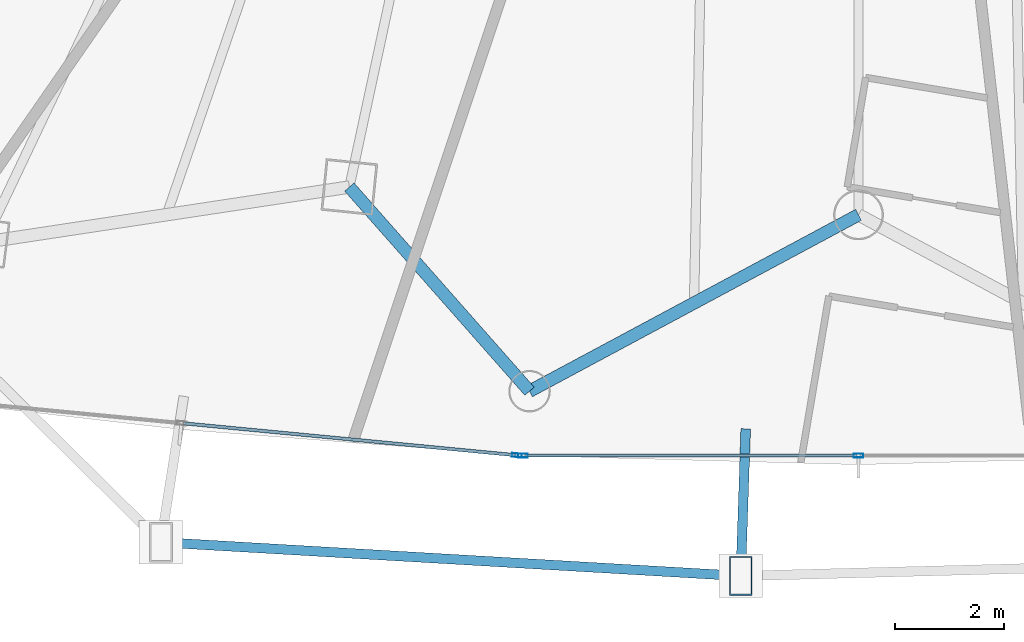
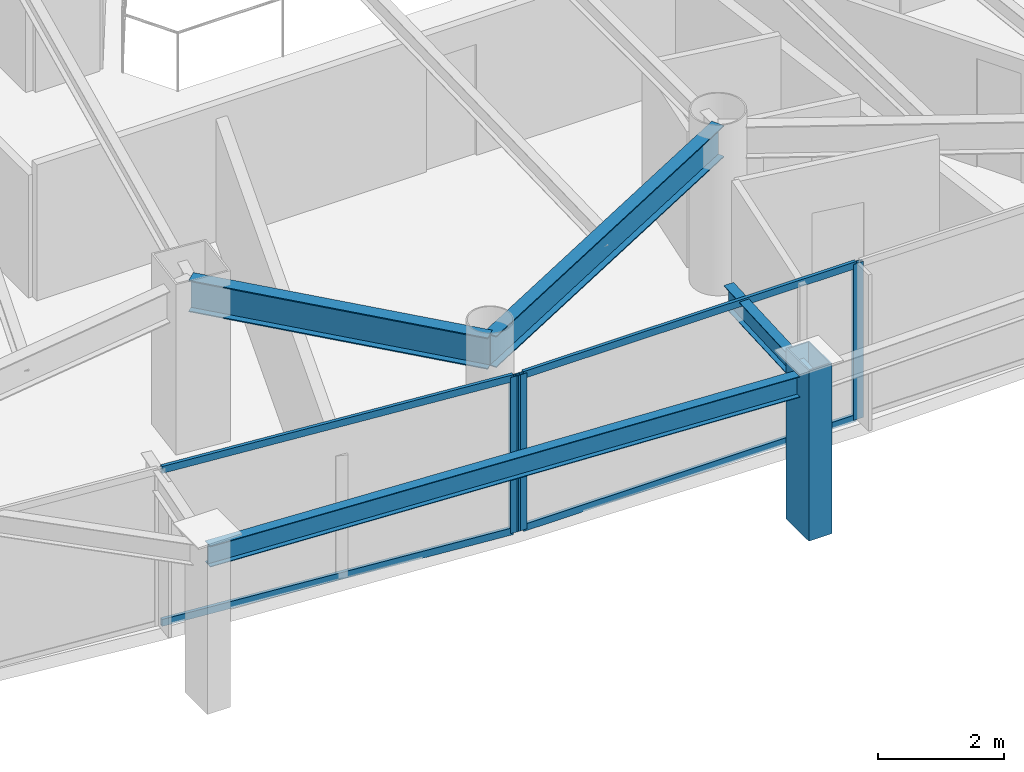
# One storey, part 6 of 33: 8 members, 4 beams, 2 elements without a shape of their own.
"""IFC4 building model written with IfcOpenShell, lengths in metres."""

from ifc_helpers import new_model, si_unit, direction, frame, origin, origin_2d, place, context, subcontext, project, spatial, hollow_rectangle, i_section, extrude, material, layer, layer_set, material_profile, profile_set, type_object, element, aggregate, save


model = new_model("IFC4")

# Units and contexts
model_context = context("Model", 3, precision=1e-05, world=origin(), true_north=direction((0.0, 1.0)))
body_context = subcontext(model_context, "Body", "Model", "MODEL_VIEW")
ifc_project = project(units=[si_unit("LENGTHUNIT", "METRE"), si_unit("AREAUNIT", "SQUARE_METRE"), si_unit("VOLUMEUNIT", "CUBIC_METRE"), si_unit("PLANEANGLEUNIT", "RADIAN"), si_unit("MASSUNIT", "GRAM", prefix="KILO")], contexts=[model_context])

# Site, building, storey
site_placement = place(None, origin())
site = spatial("IfcSite", under=ifc_project, at=site_placement, CompositionType="ELEMENT")
building_placement = place(site_placement, origin())
building = spatial("IfcBuilding", under=site, at=building_placement, Name="Orvanel Arch Residences", CompositionType="ELEMENT")
storey_placement = place(building_placement, frame((0.0, 0.0, 93.949951171875)))
storey = spatial("IfcBuildingStorey", under=building, at=storey_placement, Name="L26", CompositionType="ELEMENT", Elevation=93.949951171875)

# Member
ifc_material_1 = material(Name="Structural steel AS/NZS 3678 Grade 350", Category="steel")
ifc_material_profile_1 = material_profile(ifc_material_1, hollow_rectangle(XDim=0.419921875, YDim=0.719970703125, WallThickness=0.02490234375, at=origin_2d()), Name="RHS720x420x25")
ifc_profile_set_1 = profile_set([ifc_material_profile_1], Name="Structural steel AS/NZS 3678 Grade 350")
member_type_1 = type_object("IfcMemberType", Name="CH-720RHS-EXT", PredefinedType="CHORD", material=ifc_profile_set_1)
member_1_placement = place(storey_placement, frame((30.8369140625, 0.2119140625, 0.0), z_axis=(0.0, 0.0, 1.0), x_axis=(1.0, 0.0, 0.0)))
element("IfcMember", 1, at=member_1_placement, inside=storey, type_object=member_type_1, Name="L26 Outer Perimeter Frame Post 06", PredefinedType="CHORD", context=body_context, shape_type="SweptSolid", body=[
    extrude(hollow_rectangle(XDim=0.419921875, YDim=0.719970703125, WallThickness=0.02490234375, at=origin_2d()), origin(), (0.0, 0.0, 1.0), 3.300048828125),
])

# Curtain wall, member
ifc_material_2 = material(Name="Bronze-anodised aluminium AA6063-T6", Category="aluminium")
ifc_layer = layer(ifc_material_2, 0.179931640625)
ifc_layer_set = layer_set([ifc_layer], Name="Bronze-anodised aluminium AA6063-T6")
curtain_wall_type = type_object("IfcCurtainWallType", Name="CW2-LOW-SYS", PredefinedType="NOTDEFINED", material=ifc_layer_set)
curtain_wall_1_placement = place(storey_placement, origin())
curtain_wall_1 = element("IfcCurtainWall", 2, at=curtain_wall_1_placement, inside=storey, type_object=curtain_wall_type, Name="L26 CW2-LOW-SYS Unitised Curtain Wall", PredefinedType="NOTDEFINED")
ifc_material_profile_2 = material_profile(ifc_material_2, hollow_rectangle(XDim=0.070068359375, YDim=0.179931640625, WallThickness=0.00439453125, at=origin_2d()), Name="ALU180x70x4.5")
ifc_profile_set_2 = profile_set([ifc_material_profile_2], Name="Bronze-anodised aluminium AA6063-T6")
member_type_2 = type_object("IfcMemberType", Name="MUL-180x70", PredefinedType="MULLION", material=ifc_profile_set_2)
member_2_placement = place(storey_placement, frame((26.728271484375, 2.42724609375, 0.0), z_axis=(0.0, 0.0, 1.0), x_axis=(0.095487456477, 0.995430633272, 0.0)))
member_2 = element("IfcMember", 3, at=member_2_placement, type_object=member_type_2, Name="CW-S2 mullion 3", PredefinedType="MULLION", context=body_context, shape_type="SweptSolid", body=[
    extrude(hollow_rectangle(XDim=0.070068359375, YDim=0.179931640625, WallThickness=0.00439453125, at=origin_2d()), origin(), (0.0, 0.0, 1.0), 3.02001953125),
])

# Curtain wall, members
curtain_wall_2_placement = place(storey_placement, origin())
curtain_wall_2 = element("IfcCurtainWall", 4, at=curtain_wall_2_placement, inside=storey, type_object=curtain_wall_type, Name="L26 CW2-LOW-SYS Unitised Curtain Wall", PredefinedType="NOTDEFINED")
member_3_placement = place(storey_placement, frame((26.837890625, 2.422119140625, 0.0), z_axis=(0.0, 0.0, 1.0), x_axis=(0.0, 1.0, 0.0)))
member_3 = element("IfcMember", 5, at=member_3_placement, type_object=member_type_2, Name="CW-S2 mullion 1", PredefinedType="MULLION", context=body_context, shape_type="SweptSolid", body=[
    extrude(hollow_rectangle(XDim=0.070068359375, YDim=0.179931640625, WallThickness=0.00439453125, at=origin_2d()), origin(), (0.0, 0.0, 1.0), 3.02001953125),
])
member_4_placement = place(storey_placement, frame((33.0, 2.422119140625, 0.0), z_axis=(0.0, 0.0, 1.0), x_axis=(0.0, 1.0, 0.0)))
member_4 = element("IfcMember", 6, at=member_4_placement, type_object=member_type_2, Name="CW-S2 mullion 2", PredefinedType="MULLION", context=body_context, shape_type="SweptSolid", body=[
    extrude(hollow_rectangle(XDim=0.070068359375, YDim=0.179931640625, WallThickness=0.00439453125, at=origin_2d()), origin(), (0.0, 0.0, 1.0), 3.02001953125),
])

# Beams
ifc_material_3 = material(Name="Structural steel AS/NZS 3679.1 Grade 300 (300 MPa)", Category="steel")
ifc_material_profile_3 = material_profile(ifc_material_3, i_section(OverallWidth=0.177978515625, OverallDepth=0.406005859375, WebThickness=0.0078125, FlangeThickness=0.0126953125, at=origin_2d()), Name="410UB59.7")
ifc_profile_set_3 = profile_set([ifc_material_profile_3], Name="Structural steel AS/NZS 3679.1 Grade 300 (300 MPa)")
beam_type_1 = type_object("IfcBeamType", Name="OB-410UB-EXT", PredefinedType="SPANDREL", material=ifc_profile_set_3)
beam_1_placement = place(storey_placement, frame((20.18701171875, 0.830078125, 2.817138671875), z_axis=(0.998319685562, -0.057946573835, 0.0), x_axis=(0.057946573835, 0.998319685562, 0.0)))
element("IfcBeam", 7, at=beam_1_placement, inside=storey, type_object=beam_type_1, Name="L26 Outer Perimeter Floor Ring Beam 05", PredefinedType="SPANDREL", context=body_context, shape_type="SweptSolid", body=[
    extrude(i_section(OverallWidth=0.177978515625, OverallDepth=0.406005859375, WebThickness=0.0078125, FlangeThickness=0.0126953125, at=origin_2d()), origin(), (0.0, 0.0, 1.0), 10.667724609375),
])
beam_2_placement = place(storey_placement, frame((30.927978515625, 2.9140625, 2.817138671875), z_axis=(-0.033681637561, -0.999432612681, 0.0), x_axis=(0.999432612681, -0.033681637561, 0.0)))
element("IfcBeam", 8, at=beam_2_placement, inside=storey, type_object=beam_type_1, Name="L26 Outer Frame Radial Tie Beam 06", PredefinedType="SPANDREL", context=body_context, shape_type="SweptSolid", body=[
    extrude(i_section(OverallWidth=0.177978515625, OverallDepth=0.406005859375, WebThickness=0.0078125, FlangeThickness=0.0126953125, at=origin_2d()), origin(), (0.0, 0.0, 1.0), 2.70361328125),
])
ifc_material_profile_4 = material_profile(ifc_material_3, i_section(OverallWidth=0.22900390625, OverallDepth=0.612060546875, WebThickness=0.011962890625, FlangeThickness=0.01953125, at=origin_2d()), Name="610UB125")
ifc_profile_set_4 = profile_set([ifc_material_profile_4], Name="Structural steel AS/NZS 3679.1 Grade 300 (300 MPa)")
beam_type_2 = type_object("IfcBeamType", Name="SP-610UB", PredefinedType="SPANDREL", material=ifc_profile_set_4)
beam_3_placement = place(storey_placement, frame((23.64892578125, 7.35498046875, 2.714111328125), z_axis=(0.661650698195, -0.749812212209, 0.0), x_axis=(0.749812212209, 0.661650698195, 0.0)))
element("IfcBeam", 9, at=beam_3_placement, inside=storey, type_object=beam_type_2, Name="L26 Perimeter Spandrel Beam 05", PredefinedType="SPANDREL", context=body_context, shape_type="SweptSolid", body=[
    extrude(i_section(OverallWidth=0.22900390625, OverallDepth=0.612060546875, WebThickness=0.011962890625, FlangeThickness=0.01953125, at=origin_2d()), origin(), (0.0, 0.0, 1.0), 5.001220703125),
])
beam_4_placement = place(storey_placement, frame((26.9580078125, 3.60498046875, 2.714111328125), z_axis=(0.881344400551, 0.472474388319, 0.0), x_axis=(-0.472474388319, 0.881344400551, 0.0)))
element("IfcBeam", 10, at=beam_4_placement, inside=storey, type_object=beam_type_2, Name="L26 Perimeter Spandrel Beam 06", PredefinedType="SPANDREL", context=body_context, shape_type="SweptSolid", body=[
    extrude(i_section(OverallWidth=0.22900390625, OverallDepth=0.612060546875, WebThickness=0.011962890625, FlangeThickness=0.01953125, at=origin_2d()), origin(), (0.0, 0.0, 1.0), 6.85546875),
])

# Member
ifc_material_profile_5 = material_profile(ifc_material_2, hollow_rectangle(XDim=0.06005859375, YDim=0.135009765625, WallThickness=0.00390625, at=origin_2d()), Name="ALU135x60x4")
ifc_profile_set_5 = profile_set([ifc_material_profile_5], Name="Bronze-anodised aluminium AA6063-T6")
member_type_3 = type_object("IfcMemberType", Name="TRN-135x60", PredefinedType="USERDEFINED", material=ifc_profile_set_5)
member_5_placement = place(storey_placement, frame((20.600341796875, 3.01513671875, 0.030029296875), z_axis=(0.995430707597, -0.095486681652, 0.0), x_axis=(0.095486681652, 0.995430707597, 0.0)))
member_5 = element("IfcMember", 11, at=member_5_placement, type_object=member_type_3, Name="CW-S2 transom 2.1", ObjectType="TRANSOM", PredefinedType="USERDEFINED", context=body_context, shape_type="SweptSolid", body=[
    extrude(hollow_rectangle(XDim=0.06005859375, YDim=0.135009765625, WallThickness=0.00390625, at=origin_2d()), origin(), (0.0, 0.0, 1.0), 6.12109375),
])

member_6_placement = place(storey_placement, frame((20.600341796875, 3.01513671875, 2.989990234375), z_axis=(0.995430707597, -0.095486681652, 0.0), x_axis=(0.095486681652, 0.995430707597, 0.0)))
member_6 = element("IfcMember", 12, at=member_6_placement, type_object=member_type_3, Name="CW-S2 transom 2.2", ObjectType="TRANSOM", PredefinedType="USERDEFINED", context=body_context, shape_type="SweptSolid", body=[
    extrude(hollow_rectangle(XDim=0.06005859375, YDim=0.135009765625, WallThickness=0.00390625, at=origin_2d()), origin(), (0.0, 0.0, 1.0), 6.12109375),
])

aggregate(curtain_wall_1, [member_2, member_5, member_6])

member_7_placement = place(storey_placement, frame((26.873046875, 2.422119140625, 0.030029296875), z_axis=(1.0, 0.0, 0.0), x_axis=(0.0, 1.0, 0.0)))
member_7 = element("IfcMember", 13, at=member_7_placement, type_object=member_type_3, Name="CW-S2 transom 1.1", ObjectType="TRANSOM", PredefinedType="USERDEFINED", context=body_context, shape_type="SweptSolid", body=[
    extrude(hollow_rectangle(XDim=0.06005859375, YDim=0.135009765625, WallThickness=0.00390625, at=origin_2d()), origin(), (0.0, 0.0, 1.0), 6.092041015625),
])

member_8_placement = place(storey_placement, frame((26.873046875, 2.422119140625, 2.989990234375), z_axis=(1.0, 0.0, 0.0), x_axis=(0.0, 1.0, 0.0)))
member_8 = element("IfcMember", 14, at=member_8_placement, type_object=member_type_3, Name="CW-S2 transom 1.2", ObjectType="TRANSOM", PredefinedType="USERDEFINED", context=body_context, shape_type="SweptSolid", body=[
    extrude(hollow_rectangle(XDim=0.06005859375, YDim=0.135009765625, WallThickness=0.00390625, at=origin_2d()), origin(), (0.0, 0.0, 1.0), 6.092041015625),
])

aggregate(curtain_wall_2, [member_3, member_4, member_7, member_8])

save(model, "model.ifc")
